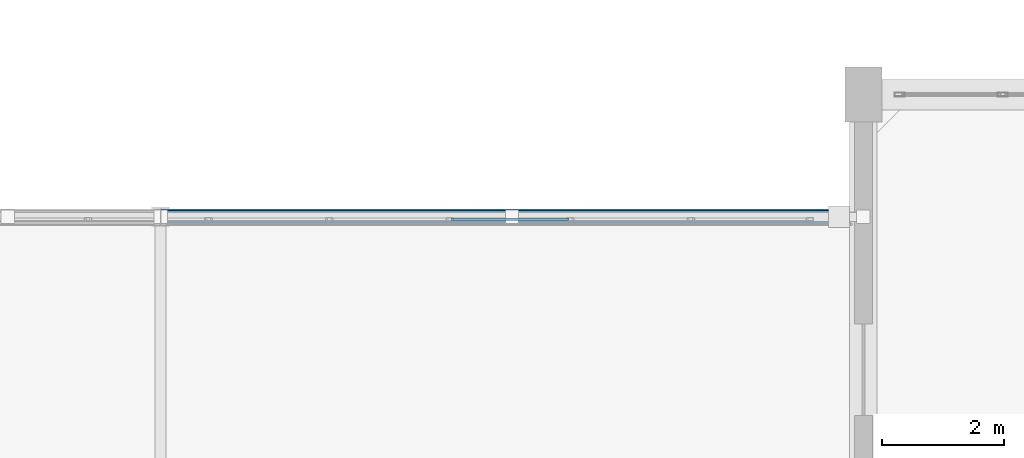
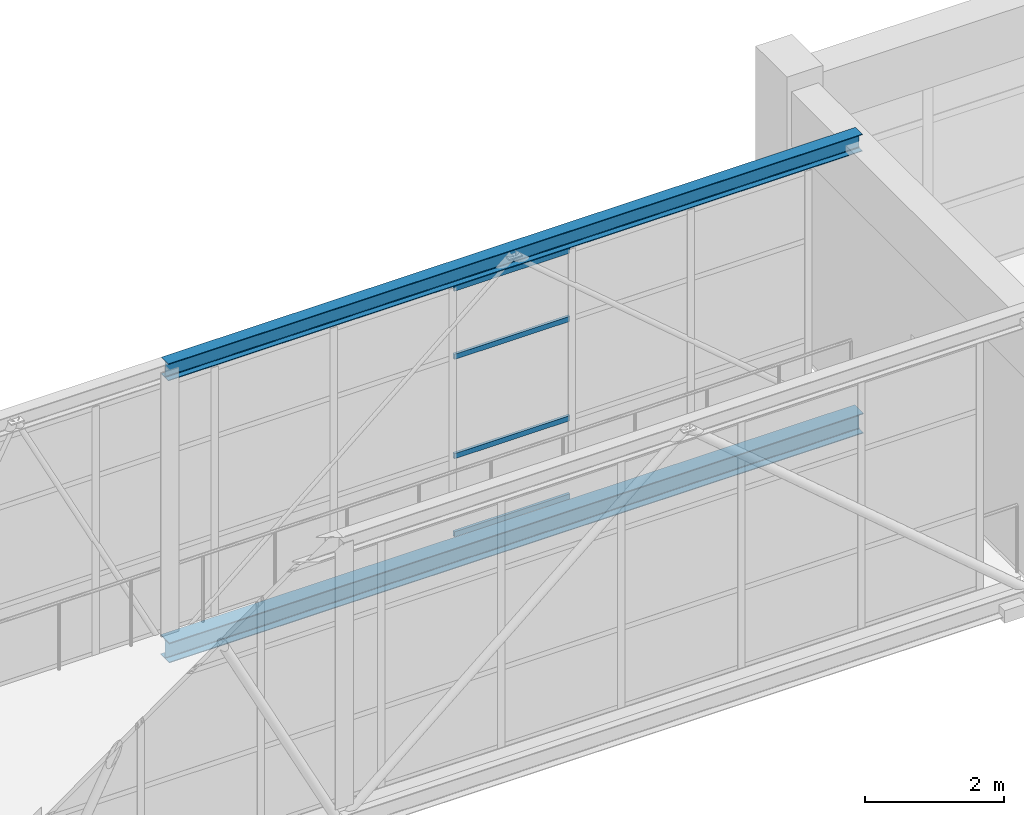
# One storey, part 175 of 248: 6 members, 1 element without a shape of its own.
"""IFC4 building model written with IfcOpenShell, lengths in metres."""

from ifc_helpers import new_model, si_unit, direction, frame, origin, origin_2d, place, context, subcontext, project, spatial, hollow_rectangle, i_section, extrude, material, layer, layer_set, material_profile, profile_set, type_object, element, aggregate, save


model = new_model("IFC4")

# Units and contexts
model_context = context("Model", 3, precision=1e-05, world=origin(), true_north=direction((0.0, 1.0)))
body_context = subcontext(model_context, "Body", "Model", "MODEL_VIEW")
ifc_project = project(units=[si_unit("LENGTHUNIT", "METRE"), si_unit("AREAUNIT", "SQUARE_METRE"), si_unit("VOLUMEUNIT", "CUBIC_METRE"), si_unit("PLANEANGLEUNIT", "RADIAN"), si_unit("MASSUNIT", "GRAM", prefix="KILO")], contexts=[model_context])

# Site, building, storey
site_placement = place(None, origin())
site = spatial("IfcSite", under=ifc_project, at=site_placement, CompositionType="ELEMENT")
building_placement = place(site_placement, origin())
building = spatial("IfcBuilding", under=site, at=building_placement, Name="Canggui Botanical Conservatory", CompositionType="ELEMENT")
storey_placement = place(building_placement, frame((0.0, 0.0, 5.39990234375)))
storey = spatial("IfcBuildingStorey", under=building, at=storey_placement, Name="L02", CompositionType="ELEMENT", Elevation=5.39990234375)

# Curtain wall, members
ifc_material_1 = material(Name="Thermally Broken Aluminium", Category="aluminium")
ifc_layer = layer(ifc_material_1, 0.1201171875, Name="Thermally Broken Aluminium", Category="aluminium")
ifc_layer_set = layer_set([ifc_layer], Name="Thermally Broken Aluminium")
curtain_wall_type = type_object("IfcCurtainWallType", Name="CW-STICK-B", PredefinedType="USERDEFINED", material=ifc_layer_set)
curtain_wall_placement = place(storey_placement, origin())
curtain_wall = element("IfcCurtainWall", 1, at=curtain_wall_placement, inside=storey, type_object=curtain_wall_type, Name="Facade Curtain Wall CW-SB-04-2", ObjectType="STICK GLAZED WALL", PredefinedType="USERDEFINED")
ifc_material_profile_1 = material_profile(ifc_material_1, hollow_rectangle(XDim=0.044921875, YDim=0.090087890625, WallThickness=0.0029296875, at=origin_2d()), Name="CWT 45x90x3")
ifc_profile_set_1 = profile_set([ifc_material_profile_1], Name="Thermally Broken Aluminium")
member_type_1 = type_object("IfcMemberType", Name="CWT-05", PredefinedType="USERDEFINED", material=ifc_profile_set_1)
member_1_placement = place(storey_placement, frame((123.259033203125, 79.9599609375, 0.022705078125), z_axis=(1.0, 0.0, 0.0), x_axis=(0.0, 1.0, 0.0)))
member_1 = element("IfcMember", 2, at=member_1_placement, type_object=member_type_1, Name="CW-05 transom 30.1", ObjectType="TRANSOM", PredefinedType="USERDEFINED", context=body_context, shape_type="SweptSolid", body=[
    extrude(hollow_rectangle(XDim=0.044921875, YDim=0.090087890625, WallThickness=0.0029296875, at=origin_2d()), origin(), (0.0, 0.0, 1.0), 1.917724609375),
])
member_2_placement = place(storey_placement, frame((123.259033203125, 79.9599609375, 1.39208984375), z_axis=(1.0, 0.0, 0.0), x_axis=(0.0, 1.0, 0.0)))
member_2 = element("IfcMember", 3, at=member_2_placement, type_object=member_type_1, Name="CW-05 transom 30.2", ObjectType="TRANSOM", PredefinedType="USERDEFINED", context=body_context, shape_type="SweptSolid", body=[
    extrude(hollow_rectangle(XDim=0.044921875, YDim=0.090087890625, WallThickness=0.0029296875, at=origin_2d()), origin(), (0.0, 0.0, 1.0), 1.917724609375),
])
member_3_placement = place(storey_placement, frame((123.259033203125, 79.9599609375, 3.132080078125), z_axis=(1.0, 0.0, 0.0), x_axis=(0.0, 1.0, 0.0)))
member_3 = element("IfcMember", 4, at=member_3_placement, type_object=member_type_1, Name="CW-05 transom 30.3", ObjectType="TRANSOM", PredefinedType="USERDEFINED", context=body_context, shape_type="SweptSolid", body=[
    extrude(hollow_rectangle(XDim=0.044921875, YDim=0.090087890625, WallThickness=0.0029296875, at=origin_2d()), origin(), (0.0, 0.0, 1.0), 1.917724609375),
])
member_4_placement = place(storey_placement, frame((123.259033203125, 79.9599609375, 4.32763671875), z_axis=(1.0, 0.0, 0.0), x_axis=(0.0, 1.0, 0.0)))
member_4 = element("IfcMember", 5, at=member_4_placement, type_object=member_type_1, Name="CW-05 transom 30.4", ObjectType="TRANSOM", PredefinedType="USERDEFINED", context=body_context, shape_type="SweptSolid", body=[
    extrude(hollow_rectangle(XDim=0.044921875, YDim=0.090087890625, WallThickness=0.0029296875, at=origin_2d()), origin(), (0.0, 0.0, 1.0), 1.917724609375),
])
aggregate(curtain_wall, [member_1, member_2, member_3, member_4])

# Members
ifc_material_2 = material(Name="Steel Q355B", Category="steel")
ifc_material_profile_2 = material_profile(ifc_material_2, i_section(OverallWidth=0.25, OverallDepth=0.35009765625, WebThickness=0.009033203125, FlangeThickness=0.013916015625, FilletRadius=0.02001953125, at=origin_2d()), Name="HM 350x250x9x14")
ifc_profile_set_2 = profile_set([ifc_material_profile_2], Name="Steel Q355B")
member_type_2 = type_object("IfcMemberType", Name="MEM-TC03", PredefinedType="CHORD", material=ifc_profile_set_2)
member_5_placement = place(storey_placement, frame((118.5, 80.0, -0.349853515625), z_axis=(1.0, 0.0, 0.0), x_axis=(0.0, 1.0, 0.0)))
element("IfcMember", 6, at=member_5_placement, inside=storey, type_object=member_type_2, Name="SB-04 Deck Truss Bottom Chord 2.9", PredefinedType="CHORD", context=body_context, shape_type="SweptSolid", body=[
    extrude(i_section(OverallWidth=0.25, OverallDepth=0.35009765625, WebThickness=0.009033203125, FlangeThickness=0.013916015625, FilletRadius=0.02001953125, at=origin_2d()), origin(), (0.0, 0.0, 1.0), 11.5),
])
ifc_material_profile_3 = material_profile(ifc_material_2, i_section(OverallWidth=0.199951171875, OverallDepth=0.300048828125, WebThickness=0.008056640625, FlangeThickness=0.011962890625, FilletRadius=0.01806640625, at=origin_2d()), Name="HM 300x200x8x12")
ifc_profile_set_3 = profile_set([ifc_material_profile_3], Name="Steel Q355B")
member_type_3 = type_object("IfcMemberType", Name="MEM-TC04", PredefinedType="CHORD", material=ifc_profile_set_3)
member_6_placement = place(storey_placement, frame((118.5, 80.0, 4.550048828125), z_axis=(1.0, 0.0, 0.0), x_axis=(0.0, 1.0, 0.0)))
element("IfcMember", 7, at=member_6_placement, inside=storey, type_object=member_type_3, Name="SB-04 Roof Truss Top Chord 2.9", PredefinedType="CHORD", context=body_context, shape_type="SweptSolid", body=[
    extrude(i_section(OverallWidth=0.199951171875, OverallDepth=0.300048828125, WebThickness=0.008056640625, FlangeThickness=0.011962890625, FilletRadius=0.01806640625, at=origin_2d()), origin(), (0.0, 0.0, 1.0), 11.5),
])

save(model, "model.ifc")
